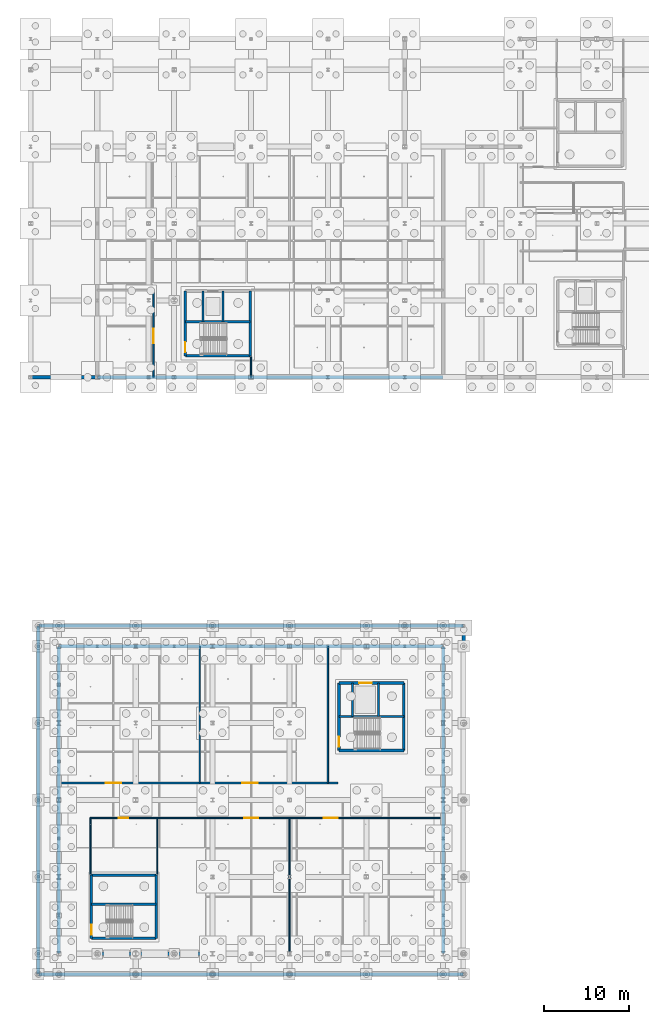
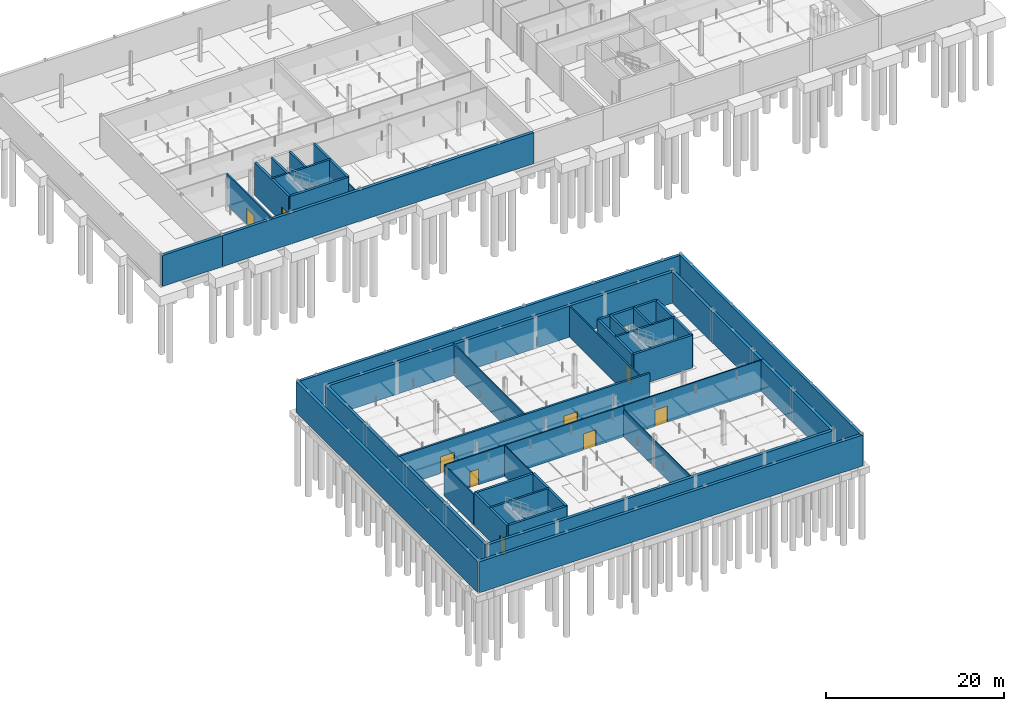
# One storey, part 24 of 48: 39 walls, 10 doors, 10 openings.
"""IFC4 building model written with IfcOpenShell, lengths in metres."""

from ifc_helpers import new_model, si_unit, direction, frame, frame_2d, origin, place, context, subcontext, project, spatial, rectangle, extrude, material, layer, layer_set, type_object, element, fill, save


model = new_model("IFC4")

# Units and contexts
model_context = context("Model", 3, precision=1e-05, world=origin(), true_north=direction((0.0, 1.0)))
body_context = subcontext(model_context, "Body", "Model", "MODEL_VIEW")
ifc_project = project(units=[si_unit("LENGTHUNIT", "METRE"), si_unit("AREAUNIT", "SQUARE_METRE"), si_unit("VOLUMEUNIT", "CUBIC_METRE"), si_unit("PLANEANGLEUNIT", "RADIAN"), si_unit("MASSUNIT", "GRAM", prefix="KILO"), si_unit("THERMODYNAMICTEMPERATUREUNIT", "KELVIN"), si_unit("POWERUNIT", "WATT")], contexts=[model_context])

# Site, building, storey
site_placement = place(None, origin())
site = spatial("IfcSite", under=ifc_project, at=site_placement, CompositionType="ELEMENT")
building_placement = place(site_placement, origin())
building = spatial("IfcBuilding", under=site, at=building_placement, Name="Tallowbark Science Centre", CompositionType="ELEMENT")
storey_placement = place(building_placement, frame((0.0, 0.0, -4.5)))
storey = spatial("IfcBuildingStorey", under=building, at=storey_placement, Name="B1", CompositionType="ELEMENT", Elevation=-4.5)

# Walls
ifc_material_1 = material(Name="132 mm Acoustic Laboratory Steel Stud Partition", Category="steel")
ifc_layer_1 = layer(ifc_material_1, 0.132080078125)
ifc_layer_set_1 = layer_set([ifc_layer_1], Name="132 mm Acoustic Laboratory Steel Stud Partition")
wall_type_1 = type_object("IfcWallType", Name="PTW-132", PredefinedType="PARTITIONING", material=ifc_layer_set_1)
for number, where, z_axis, x_axis, name in (
    (1, (62.199951171875, 13.800048828125, 0.0), (0.0, 0.0, 1.0), (0.0, 1.0, 0.0), "Interior Partition PTW-B1-0072"),
    (2, (70.0, 13.800048828125, 0.0), (0.0, 0.0, 1.0), (0.0, 1.0, 0.0), "Interior Partition PTW-B1-0076"),
):
    element("IfcWall", number, at=place(storey_placement, frame(where, z_axis=z_axis, x_axis=x_axis)), inside=storey, type_object=wall_type_1, Name=name, PredefinedType="PARTITIONING", context=body_context, shape_type="SweptSolid", body=[
        extrude(rectangle(XDim=6.599853515625, YDim=0.132080078125, at=frame_2d((3.2998046875, 0.0))), origin(), (0.0, 0.0, 1.0), 4.260009765625),
    ])
wall_1_placement = place(storey_placement, frame((85.5, 4.5, 0.0), z_axis=(0.0, 0.0, 1.0), x_axis=(0.0, 1.0, 0.0)))
element("IfcWall", 3, at=wall_1_placement, inside=storey, type_object=wall_type_1, Name="Interior Partition PTW-B1-0077", PredefinedType="PARTITIONING", context=body_context, shape_type="SweptSolid", body=[
    extrude(rectangle(XDim=15.89990234375, YDim=0.132080078125, at=frame_2d((7.949951171875, 0.0))), origin(), (0.0, 0.0, 1.0), 3.7119140625),
])
wall_2_placement = place(storey_placement, frame((81.0, 72.0, 0.0), z_axis=(0.0, 0.0, 1.0), x_axis=(0.0, 1.0, 0.0)))
element("IfcWall", 4, at=wall_2_placement, inside=storey, type_object=wall_type_1, Name="Interior Partition PTW-B1-0082", PredefinedType="PARTITIONING", context=body_context, shape_type="SweptSolid", body=[
    extrude(rectangle(XDim=2.39990234375, YDim=0.132080078125, at=frame_2d((1.199951171875, 0.0))), origin(), (0.0, 0.0, 1.0), 3.5400390625),
])

# Wall, opening, door
ifc_material_2 = material(Name="162 mm Double-Stud Fire-Rated Corridor Partition")
ifc_layer_2 = layer(ifc_material_2, 0.162109375)
ifc_layer_set_2 = layer_set([ifc_layer_2], Name="162 mm Double-Stud Fire-Rated Corridor Partition")
wall_type_2 = type_object("IfcWallType", Name="PTW-162", PredefinedType="PARTITIONING", material=ifc_layer_set_2)
wall_3_placement = place(storey_placement, frame((62.199951171875, 20.39990234375, 0.0), z_axis=(0.0, 0.0, 1.0), x_axis=(1.0, 0.0, 0.0)))
wall_3 = element("IfcWall", 5, at=wall_3_placement, inside=storey, type_object=wall_type_2, Name="Interior Partition PTW-B1-0073", PredefinedType="PARTITIONING", context=body_context, shape_type="SweptSolid", body=[
    extrude(rectangle(XDim=7.800048828125, YDim=0.162109375, at=frame_2d((3.89990234375, 0.0))), origin(), (0.0, 0.0, 1.0), 4.260009765625),
])
opening_1_placement = place(wall_3_placement, frame((3.300048828125, 0.0, 0.0)))
opening_1 = element("IfcOpeningElement", 6, at=opening_1_placement, cuts=wall_3, Name="Opening DS-19", PredefinedType="OPENING", context=body_context, shape_type="SweptSolid", body=[
    extrude(rectangle(XDim=1.10009765625, YDim=2.175048828125, at=frame_2d((0.550048828125, 1.08740234375))), frame((0.0, 0.091064453125, 0.0), z_axis=(0.0, -1.0, 0.0), x_axis=(1.0, 0.0, 0.0)), (0.0, 0.0, 1.0), 0.18212890625),
])
ifc_material_3 = material(Name="Heavy-Duty Store Leaf")
door_type_1 = type_object("IfcDoorType", Name="IDR-STO-110-S19", OperationType="NOTDEFINED", PredefinedType="DOOR", material=ifc_material_3)
door_1_placement = place(opening_1_placement, origin())
door_1 = element("IfcDoor", 7, at=door_1_placement, inside=storey, type_object=door_type_1, Name="Interior Door IDR-B1-0019", OperationType="SINGLE_SWING_LEFT", OverallHeight=2.175048828125, OverallWidth=1.10009765625, PredefinedType="DOOR", context=body_context, shape_type="SweptSolid", body=[
    extrude(rectangle(XDim=1.10009765625, YDim=2.175048828125, at=frame_2d((0.550048828125, 1.08740234375))), frame((0.0, 0.02490234375, 0.0), z_axis=(0.0, -1.0, 0.0), x_axis=(1.0, 0.0, 0.0)), (0.0, 0.0, 1.0), 0.050048828125),
])
fill(opening_1, door_1)

wall_4_placement = place(storey_placement, frame((70.0, 20.39990234375, 0.0), z_axis=(0.0, 0.0, 1.0), x_axis=(1.0, 0.0, 0.0)))
wall_4 = element("IfcWall", 8, at=wall_4_placement, inside=storey, type_object=wall_type_2, Name="Interior Partition PTW-B1-0074", PredefinedType="PARTITIONING", context=body_context, shape_type="SweptSolid", body=[
    extrude(rectangle(XDim=15.5, YDim=0.162109375, at=frame_2d((7.75, 0.0))), origin(), (0.0, 0.0, 1.0), 4.260009765625),
])
opening_2_placement = place(wall_4_placement, frame((10.199951171875, 0.0, 0.0)))
opening_2 = element("IfcOpeningElement", 9, at=opening_2_placement, cuts=wall_4, Name="Opening DS-20", PredefinedType="OPENING", context=body_context, shape_type="SweptSolid", body=[
    extrude(rectangle(XDim=1.6201171875, YDim=2.22509765625, at=frame_2d((0.81005859375, 1.112548828125))), frame((0.0, 0.091064453125, 0.0), z_axis=(0.0, -1.0, 0.0), x_axis=(1.0, 0.0, 0.0)), (0.0, 0.0, 1.0), 0.18212890625),
])
ifc_material_4 = material(Name="Fire-Rated Acoustic Plant Pair")
door_type_2 = type_object("IfcDoorType", Name="FDR-PLT-160-S20", OperationType="DOUBLE_DOOR_SINGLE_SWING", PredefinedType="DOOR", material=ifc_material_4)
door_2_placement = place(opening_2_placement, origin())
door_2 = element("IfcDoor", 10, at=door_2_placement, inside=storey, type_object=door_type_2, Name="Interior Door IDR-B1-0020", OperationType="DOUBLE_DOOR_SINGLE_SWING", OverallHeight=2.22509765625, OverallWidth=1.6201171875, PredefinedType="DOOR", context=body_context, shape_type="SweptSolid", body=[
    extrude(rectangle(XDim=1.6201171875, YDim=2.22509765625, at=frame_2d((0.81005859375, 1.112548828125))), frame((0.0, 0.02490234375, 0.0), z_axis=(0.0, -1.0, 0.0), x_axis=(1.0, 0.0, 0.0)), (0.0, 0.0, 1.0), 0.050048828125),
])
fill(opening_2, door_2)

wall_5_placement = place(storey_placement, frame((85.5, 20.39990234375, 0.0), z_axis=(0.0, 0.0, 1.0), x_axis=(1.0, 0.0, 0.0)))
wall_5 = element("IfcWall", 11, at=wall_5_placement, inside=storey, type_object=wall_type_2, Name="Interior Partition PTW-B1-0075", PredefinedType="PARTITIONING", context=body_context, shape_type="SweptSolid", body=[
    extrude(rectangle(XDim=18.0, YDim=0.162109375, at=frame_2d((9.0, 0.0))), origin(), (0.0, 0.0, 1.0), 4.260009765625),
])
opening_3_placement = place(wall_5_placement, frame((4.0, 0.0, 0.0)))
opening_3 = element("IfcOpeningElement", 12, at=opening_3_placement, cuts=wall_5, Name="Opening DS-21", PredefinedType="OPENING", context=body_context, shape_type="SweptSolid", body=[
    extrude(rectangle(XDim=1.639892578125, YDim=2.22509765625, at=frame_2d((0.81982421875, 1.112548828125))), frame((0.0, 0.091064453125, 0.0), z_axis=(0.0, -1.0, 0.0), x_axis=(1.0, 0.0, 0.0)), (0.0, 0.0, 1.0), 0.18212890625),
])
door_type_3 = type_object("IfcDoorType", Name="FDR-PLT-160-S21", OperationType="DOUBLE_DOOR_SINGLE_SWING", PredefinedType="DOOR", material=ifc_material_4)
door_3_placement = place(opening_3_placement, origin())
door_3 = element("IfcDoor", 13, at=door_3_placement, inside=storey, type_object=door_type_3, Name="Interior Door IDR-B1-0021", OperationType="DOUBLE_DOOR_SINGLE_SWING", OverallHeight=2.22509765625, OverallWidth=1.639892578125, PredefinedType="DOOR", context=body_context, shape_type="SweptSolid", body=[
    extrude(rectangle(XDim=1.639892578125, YDim=2.22509765625, at=frame_2d((0.81982421875, 1.112548828125))), frame((0.0, 0.02490234375, 0.0), z_axis=(0.0, -1.0, 0.0), x_axis=(1.0, 0.0, 0.0)), (0.0, 0.0, 1.0), 0.050048828125),
])
fill(opening_3, door_3)

# Walls
for number, where, z_axis, x_axis, name in (
    (14, (75.0, 24.5, 0.0), (0.0, 0.0, 1.0), (0.0, 1.0, 0.0), "Interior Partition PTW-B1-0078"),
    (15, (90.0, 24.5, 0.0), (0.0, 0.0, 1.0), (0.0, 1.0, 0.0), "Interior Partition PTW-B1-0079"),
):
    element("IfcWall", number, at=place(storey_placement, frame(where, z_axis=z_axis, x_axis=x_axis)), inside=storey, type_object=wall_type_2, Name=name, PredefinedType="PARTITIONING", context=body_context, shape_type="SweptSolid", body=[
        extrude(rectangle(XDim=16.0, YDim=0.162109375, at=frame_2d((8.0, 0.0))), origin(), (0.0, 0.0, 1.0), 4.260009765625),
    ])

# Wall, opening, door
wall_6_placement = place(storey_placement, frame((69.60009765625, 72.0, 0.0), z_axis=(0.0, 0.0, 1.0), x_axis=(0.0, 1.0, 0.0)))
wall_6 = element("IfcWall", 16, at=wall_6_placement, inside=storey, type_object=wall_type_2, Name="Interior Partition PTW-B1-0080", PredefinedType="PARTITIONING", context=body_context, shape_type="SweptSolid", body=[
    extrude(rectangle(XDim=10.199951171875, YDim=0.162109375, at=frame_2d((5.10009765625, 0.0))), origin(), (0.0, 0.0, 1.0), 4.260009765625),
])
opening_4_placement = place(wall_6_placement, frame((4.0, 0.0, 0.0)))
opening_4 = element("IfcOpeningElement", 17, at=opening_4_placement, cuts=wall_6, Name="Opening DS-22", PredefinedType="OPENING", context=body_context, shape_type="SweptSolid", body=[
    extrude(rectangle(XDim=1.659912109375, YDim=2.22509765625, at=frame_2d((0.830078125, 1.112548828125))), frame((0.0, 0.091064453125, 0.0), z_axis=(0.0, -1.0, 0.0), x_axis=(1.0, 0.0, 0.0)), (0.0, 0.0, 1.0), 0.18212890625),
])
door_type_4 = type_object("IfcDoorType", Name="FDR-PLT-160-S22", OperationType="DOUBLE_DOOR_SINGLE_SWING", PredefinedType="DOOR", material=ifc_material_4)
door_4_placement = place(opening_4_placement, origin())
door_4 = element("IfcDoor", 18, at=door_4_placement, inside=storey, type_object=door_type_4, Name="Interior Door IDR-B1-0022", OperationType="DOUBLE_DOOR_SINGLE_SWING", OverallHeight=2.22509765625, OverallWidth=1.659912109375, PredefinedType="DOOR", context=body_context, shape_type="SweptSolid", body=[
    extrude(rectangle(XDim=1.659912109375, YDim=2.22509765625, at=frame_2d((0.830078125, 1.112548828125))), frame((0.0, 0.02490234375, 0.0), z_axis=(0.0, -1.0, 0.0), x_axis=(1.0, 0.0, 0.0)), (0.0, 0.0, 1.0), 0.050048828125),
])
fill(opening_4, door_4)

ifc_material_5 = material(Name="Concrete Grade N40 (40 MPa)", Category="concrete")
ifc_layer_3 = layer(ifc_material_5, 0.300048828125)
ifc_layer_set_3 = layer_set([ifc_layer_3], Name="Concrete Grade N40 (40 MPa)")
wall_type_3 = type_object("IfcWallType", Name="WL-CORE-300", PredefinedType="SHEAR", material=ifc_layer_set_3)
wall_7_placement = place(storey_placement, frame((73.300048828125, 74.5, 0.0), z_axis=(0.0, 0.0, 1.0), x_axis=(0.0, 1.0, 0.0)))
wall_7 = element("IfcWall", 19, at=wall_7_placement, inside=storey, type_object=wall_type_3, Name="Core C1 Shear Wall B1 W", PredefinedType="SHEAR", context=body_context, shape_type="SweptSolid", body=[
    extrude(rectangle(XDim=7.60009765625, YDim=0.300048828125, at=frame_2d((3.800048828125, 0.0))), origin(), (0.0, 0.0, 1.0), 4.5),
])
opening_5_placement = place(wall_7_placement, frame((0.449951171875, 0.0, 0.0)))
opening_5 = element("IfcOpeningElement", 20, at=opening_5_placement, cuts=wall_7, Name="Opening FD-01", PredefinedType="OPENING", context=body_context, shape_type="SweptSolid", body=[
    extrude(rectangle(XDim=1.14990234375, YDim=2.14990234375, at=frame_2d((0.574951171875, 1.074951171875))), frame((0.0, 0.16015625, 0.0), z_axis=(0.0, -1.0, 0.0), x_axis=(1.0, 0.0, 0.0)), (0.0, 0.0, 1.0), 0.320068359375),
])
ifc_material_6 = material(Name="Fire-Rated Pressed Steel Frame and Solid Core Leaf", Category="steel")
door_type_5 = type_object("IfcDoorType", Name="FDR-STR-115", OperationType="NOTDEFINED", PredefinedType="DOOR", material=ifc_material_6)
door_5_placement = place(opening_5_placement, origin())
door_5 = element("IfcDoor", 21, at=door_5_placement, inside=storey, type_object=door_type_5, Name="Stair ST-01 Fire Door B1", OperationType="SINGLE_SWING_LEFT", OverallHeight=2.14990234375, OverallWidth=1.14990234375, PredefinedType="DOOR", context=body_context, shape_type="SweptSolid", body=[
    extrude(rectangle(XDim=1.14990234375, YDim=2.14990234375, at=frame_2d((0.574951171875, 1.074951171875))), frame((0.0, 0.02490234375, 0.0), z_axis=(0.0, -1.0, 0.0), x_axis=(1.0, 0.0, 0.0)), (0.0, 0.0, 1.0), 0.050048828125),
])
fill(opening_5, door_5)

# Walls
wall_8_placement = place(storey_placement, frame((80.89990234375, 74.5, 0.0), z_axis=(0.0, 0.0, 1.0), x_axis=(0.0, 1.0, 0.0)))
element("IfcWall", 22, at=wall_8_placement, inside=storey, type_object=wall_type_3, Name="Core C1 Shear Wall B1 E", PredefinedType="SHEAR", context=body_context, shape_type="SweptSolid", body=[
    extrude(rectangle(XDim=7.60009765625, YDim=0.300048828125, at=frame_2d((3.800048828125, 0.0))), origin(), (0.0, 0.0, 1.0), 4.5),
])
wall_9_placement = place(storey_placement, frame((73.300048828125, 74.5, 0.0), z_axis=(0.0, 0.0, 1.0), x_axis=(1.0, 0.0, 0.0)))
element("IfcWall", 23, at=wall_9_placement, inside=storey, type_object=wall_type_3, Name="Core C1 Shear Wall B1 S", PredefinedType="SHEAR", context=body_context, shape_type="SweptSolid", body=[
    extrude(rectangle(XDim=7.599853515625, YDim=0.300048828125, at=frame_2d((3.7998046875, 0.0))), origin(), (0.0, 0.0, 1.0), 4.5),
])

# Wall, opening, door
wall_10_placement = place(storey_placement, frame((91.300048828125, 28.300048828125, 0.0), z_axis=(0.0, 0.0, 1.0), x_axis=(0.0, 1.0, 0.0)))
wall_10 = element("IfcWall", 24, at=wall_10_placement, inside=storey, type_object=wall_type_3, Name="Core C3 Shear Wall B1 W", PredefinedType="SHEAR", context=body_context, shape_type="SweptSolid", body=[
    extrude(rectangle(XDim=7.89990234375, YDim=0.300048828125, at=frame_2d((3.949951171875, 0.0))), origin(), (0.0, 0.0, 1.0), 4.5),
])
opening_6_placement = place(wall_10_placement, frame((0.449951171875, 0.0, 0.0)))
opening_6 = element("IfcOpeningElement", 25, at=opening_6_placement, cuts=wall_10, Name="Opening FD-01", PredefinedType="OPENING", context=body_context, shape_type="SweptSolid", body=[
    extrude(rectangle(XDim=1.14990234375, YDim=2.14990234375, at=frame_2d((0.574951171875, 1.074951171875))), frame((0.0, 0.16015625, 0.0), z_axis=(0.0, -1.0, 0.0), x_axis=(1.0, 0.0, 0.0)), (0.0, 0.0, 1.0), 0.320068359375),
])
door_6_placement = place(opening_6_placement, origin())
door_6 = element("IfcDoor", 26, at=door_6_placement, inside=storey, type_object=door_type_5, Name="Stair ST-03 Fire Door B1", OperationType="SINGLE_SWING_LEFT", OverallHeight=2.14990234375, OverallWidth=1.14990234375, PredefinedType="DOOR", context=body_context, shape_type="SweptSolid", body=[
    extrude(rectangle(XDim=1.14990234375, YDim=2.14990234375, at=frame_2d((0.574951171875, 1.074951171875))), frame((0.0, 0.02490234375, 0.0), z_axis=(0.0, -1.0, 0.0), x_axis=(1.0, 0.0, 0.0)), (0.0, 0.0, 1.0), 0.050048828125),
])
fill(opening_6, door_6)

# Walls
wall_11_placement = place(storey_placement, frame((98.89990234375, 28.300048828125, 0.0), z_axis=(0.0, 0.0, 1.0), x_axis=(0.0, 1.0, 0.0)))
element("IfcWall", 27, at=wall_11_placement, inside=storey, type_object=wall_type_3, Name="Core C3 Shear Wall B1 E", PredefinedType="SHEAR", context=body_context, shape_type="SweptSolid", body=[
    extrude(rectangle(XDim=7.89990234375, YDim=0.300048828125, at=frame_2d((3.949951171875, 0.0))), origin(), (0.0, 0.0, 1.0), 4.5),
])
wall_12_placement = place(storey_placement, frame((91.300048828125, 28.300048828125, 0.0), z_axis=(0.0, 0.0, 1.0), x_axis=(1.0, 0.0, 0.0)))
element("IfcWall", 28, at=wall_12_placement, inside=storey, type_object=wall_type_3, Name="Core C3 Shear Wall B1 S", PredefinedType="SHEAR", context=body_context, shape_type="SweptSolid", body=[
    extrude(rectangle(XDim=7.599853515625, YDim=0.300048828125, at=frame_2d((3.7998046875, 0.0))), origin(), (0.0, 0.0, 1.0), 4.5),
])

# Wall, opening, door
wall_13_placement = place(storey_placement, frame((91.300048828125, 36.199951171875, 0.0), z_axis=(0.0, 0.0, 1.0), x_axis=(1.0, 0.0, 0.0)))
wall_13 = element("IfcWall", 29, at=wall_13_placement, inside=storey, type_object=wall_type_3, Name="Core C3 Shear Wall B1 N", PredefinedType="SHEAR", context=body_context, shape_type="SweptSolid", body=[
    extrude(rectangle(XDim=7.599853515625, YDim=0.300048828125, at=frame_2d((3.7998046875, 0.0))), origin(), (0.0, 0.0, 1.0), 4.5),
])
opening_7_placement = place(wall_13_placement, frame((2.35009765625, 0.0, 0.0)))
opening_7 = element("IfcOpeningElement", 30, at=opening_7_placement, cuts=wall_13, Name="Opening LD-02", PredefinedType="OPENING", context=body_context, shape_type="SweptSolid", body=[
    extrude(rectangle(XDim=1.5, YDim=2.39990234375, at=frame_2d((0.75, 1.199951171875))), frame((0.0, 0.16015625, 0.0), z_axis=(0.0, -1.0, 0.0), x_axis=(1.0, 0.0, 0.0)), (0.0, 0.0, 1.0), 0.320068359375),
])
ifc_material_7 = material(Name="Heavy-Duty Goods and Stretcher Lift Landing Door")
door_type_6 = type_object("IfcDoorType", Name="LDR-GDS-150", OperationType="DOUBLE_DOOR_SLIDING", PredefinedType="DOOR", material=ifc_material_7)
door_7_placement = place(opening_7_placement, origin())
door_7 = element("IfcDoor", 31, at=door_7_placement, inside=storey, type_object=door_type_6, Name="Lift LF-06 Landing Door B1", OperationType="DOUBLE_DOOR_SLIDING", OverallHeight=2.39990234375, OverallWidth=1.5, PredefinedType="DOOR", context=body_context, shape_type="SweptSolid", body=[
    extrude(rectangle(XDim=1.5, YDim=2.39990234375, at=frame_2d((0.75, 1.199951171875))), frame((0.0, 0.02490234375, 0.0), z_axis=(0.0, -1.0, 0.0), x_axis=(1.0, 0.0, 0.0)), (0.0, 0.0, 1.0), 0.050048828125),
])
fill(opening_7, door_7)

wall_14_placement = place(storey_placement, frame((62.300048828125, 6.300048828125, 0.0), z_axis=(0.0, 0.0, 1.0), x_axis=(0.0, 1.0, 0.0)))
wall_14 = element("IfcWall", 32, at=wall_14_placement, inside=storey, type_object=wall_type_3, Name="Core C7 Shear Wall B1 W", PredefinedType="SHEAR", context=body_context, shape_type="SweptSolid", body=[
    extrude(rectangle(XDim=7.39990234375, YDim=0.300048828125, at=frame_2d((3.699951171875, 0.0))), origin(), (0.0, 0.0, 1.0), 4.5),
])
opening_8_placement = place(wall_14_placement, frame((0.449951171875, 0.0, 0.0)))
opening_8 = element("IfcOpeningElement", 33, at=opening_8_placement, cuts=wall_14, Name="Opening FD-01", PredefinedType="OPENING", context=body_context, shape_type="SweptSolid", body=[
    extrude(rectangle(XDim=1.14990234375, YDim=2.14990234375, at=frame_2d((0.574951171875, 1.074951171875))), frame((0.0, 0.16015625, 0.0), z_axis=(0.0, -1.0, 0.0), x_axis=(1.0, 0.0, 0.0)), (0.0, 0.0, 1.0), 0.320068359375),
])
door_8_placement = place(opening_8_placement, origin())
door_8 = element("IfcDoor", 34, at=door_8_placement, inside=storey, type_object=door_type_5, Name="Stair ST-07 Fire Door B1", OperationType="SINGLE_SWING_LEFT", OverallHeight=2.14990234375, OverallWidth=1.14990234375, PredefinedType="DOOR", context=body_context, shape_type="SweptSolid", body=[
    extrude(rectangle(XDim=1.14990234375, YDim=2.14990234375, at=frame_2d((0.574951171875, 1.074951171875))), frame((0.0, 0.02490234375, 0.0), z_axis=(0.0, -1.0, 0.0), x_axis=(1.0, 0.0, 0.0)), (0.0, 0.0, 1.0), 0.050048828125),
])
fill(opening_8, door_8)

# Walls
wall_15_placement = place(storey_placement, frame((69.89990234375, 6.300048828125, 0.0), z_axis=(0.0, 0.0, 1.0), x_axis=(0.0, 1.0, 0.0)))
element("IfcWall", 35, at=wall_15_placement, inside=storey, type_object=wall_type_3, Name="Core C7 Shear Wall B1 E", PredefinedType="SHEAR", context=body_context, shape_type="SweptSolid", body=[
    extrude(rectangle(XDim=7.39990234375, YDim=0.300048828125, at=frame_2d((3.699951171875, 0.0))), origin(), (0.0, 0.0, 1.0), 4.5),
])
for number, where, z_axis, x_axis, name in (
    (36, (62.300048828125, 6.300048828125, 0.0), (0.0, 0.0, 1.0), (1.0, 0.0, 0.0), "Core C7 Shear Wall B1 S"),
    (37, (62.300048828125, 13.699951171875, 0.0), (0.0, 0.0, 1.0), (1.0, 0.0, 0.0), "Core C7 Shear Wall B1 N"),
):
    element("IfcWall", number, at=place(storey_placement, frame(where, z_axis=z_axis, x_axis=x_axis)), inside=storey, type_object=wall_type_3, Name=name, PredefinedType="SHEAR", context=body_context, shape_type="SweptSolid", body=[
        extrude(rectangle(XDim=7.599853515625, YDim=0.300048828125, at=frame_2d((3.7998046875, 0.0))), origin(), (0.0, 0.0, 1.0), 4.5),
    ])

# Wall, openings, doors
ifc_layer_4 = layer(ifc_material_5, 0.260009765625)
ifc_layer_set_4 = layer_set([ifc_layer_4], Name="Concrete Grade N40 (40 MPa)")
wall_type_4 = type_object("IfcWallType", Name="WL-FIRE-260", PredefinedType="SHEAR", material=ifc_layer_set_4)
wall_16_placement = place(storey_placement, frame((58.5, 24.5, 0.0), z_axis=(0.0, 0.0, 1.0), x_axis=(1.0, 0.0, 0.0)))
wall_16 = element("IfcWall", 38, at=wall_16_placement, inside=storey, type_object=wall_type_4, Name="Basement Wall B1-FIR-01", PredefinedType="SHEAR", context=body_context, shape_type="SweptSolid", body=[
    extrude(rectangle(XDim=32.699951171875, YDim=0.260009765625, at=frame_2d((16.35009765625, 0.0))), origin(), (0.0, 0.0, 1.0), 4.260009765625),
])
opening_9_placement = place(wall_16_placement, frame((5.5, 0.0, 0.0)))
opening_9 = element("IfcOpeningElement", 39, at=opening_9_placement, cuts=wall_16, Name="Opening FD-04", PredefinedType="OPENING", context=body_context, shape_type="SweptSolid", body=[
    extrude(rectangle(XDim=1.800048828125, YDim=2.300048828125, at=frame_2d((0.89990234375, 1.14990234375))), frame((0.0, 0.14013671875, 0.0), z_axis=(0.0, -1.0, 0.0), x_axis=(1.0, 0.0, 0.0)), (0.0, 0.0, 1.0), 0.280029296875),
])
opening_10_placement = place(wall_16_placement, frame((21.5, 0.0, 0.0)))
opening_10 = element("IfcOpeningElement", 40, at=opening_10_placement, cuts=wall_16, Name="Opening FD-04", PredefinedType="OPENING", context=body_context, shape_type="SweptSolid", body=[
    extrude(rectangle(XDim=1.800048828125, YDim=2.300048828125, at=frame_2d((0.89990234375, 1.14990234375))), frame((0.0, 0.14013671875, 0.0), z_axis=(0.0, -1.0, 0.0), x_axis=(1.0, 0.0, 0.0)), (0.0, 0.0, 1.0), 0.280029296875),
])
ifc_material_8 = material(Name="Hold-Open Fire Compartment Pair")
door_type_7 = type_object("IfcDoorType", Name="FDR-CMP-180", OperationType="DOUBLE_DOOR_SINGLE_SWING", PredefinedType="DOOR", material=ifc_material_8)
door_9_placement = place(opening_9_placement, origin())
door_9 = element("IfcDoor", 41, at=door_9_placement, inside=storey, type_object=door_type_7, Name="Basement Fire Compartment Door B1-FIR-01-1", OperationType="DOUBLE_DOOR_SINGLE_SWING", OverallHeight=2.300048828125, OverallWidth=1.800048828125, PredefinedType="DOOR", context=body_context, shape_type="SweptSolid", body=[
    extrude(rectangle(XDim=1.800048828125, YDim=2.300048828125, at=frame_2d((0.89990234375, 1.14990234375))), frame((0.0, 0.02490234375, 0.0), z_axis=(0.0, -1.0, 0.0), x_axis=(1.0, 0.0, 0.0)), (0.0, 0.0, 1.0), 0.050048828125),
])
fill(opening_9, door_9)
door_10_placement = place(opening_10_placement, origin())
door_10 = element("IfcDoor", 42, at=door_10_placement, inside=storey, type_object=door_type_7, Name="Basement Fire Compartment Door B1-FIR-01-2", OperationType="DOUBLE_DOOR_SINGLE_SWING", OverallHeight=2.300048828125, OverallWidth=1.800048828125, PredefinedType="DOOR", context=body_context, shape_type="SweptSolid", body=[
    extrude(rectangle(XDim=1.800048828125, YDim=2.300048828125, at=frame_2d((0.89990234375, 1.14990234375))), frame((0.0, 0.02490234375, 0.0), z_axis=(0.0, -1.0, 0.0), x_axis=(1.0, 0.0, 0.0)), (0.0, 0.0, 1.0), 0.050048828125),
])
fill(opening_10, door_10)

# Walls
ifc_layer_5 = layer(ifc_material_5, 0.3798828125)
ifc_layer_set_5 = layer_set([ifc_layer_5], Name="Concrete Grade N40 (40 MPa)")
wall_type_5 = type_object("IfcWallType", Name="WL-RET-380", PredefinedType="SHEAR", material=ifc_layer_set_5)
for number, where, z_axis, x_axis, name in (
    (43, (56.10009765625, 2.10009765625, 0.0), (0.0, 0.0, 1.0), (1.0, 0.0, 0.0), "Basement Wall B1-RET-SCR-S"),
    (44, (56.10009765625, 42.89990234375, 0.0), (0.0, 0.0, 1.0), (1.0, 0.0, 0.0), "Basement Wall B1-RET-SCR-N"),
):
    element("IfcWall", number, at=place(storey_placement, frame(where, z_axis=z_axis, x_axis=x_axis)), inside=storey, type_object=wall_type_5, Name=name, PredefinedType="SHEAR", context=body_context, shape_type="SweptSolid", body=[
        extrude(rectangle(XDim=49.7998046875, YDim=0.3798828125, at=frame_2d((24.89990234375, 0.0))), origin(), (0.0, 0.0, 1.0), 4.260009765625),
    ])
for number, where, z_axis, x_axis, name in (
    (45, (56.10009765625, 2.10009765625, 0.0), (0.0, 0.0, 1.0), (0.0, 1.0, 0.0), "Basement Wall B1-RET-SCR-W"),
    (46, (105.89990234375, 2.10009765625, 0.0), (0.0, 0.0, 1.0), (0.0, 1.0, 0.0), "Basement Wall B1-RET-SCR-E"),
):
    element("IfcWall", number, at=place(storey_placement, frame(where, z_axis=z_axis, x_axis=x_axis)), inside=storey, type_object=wall_type_5, Name=name, PredefinedType="SHEAR", context=body_context, shape_type="SweptSolid", body=[
        extrude(rectangle(XDim=40.7998046875, YDim=0.3798828125, at=frame_2d((20.39990234375, 0.0))), origin(), (0.0, 0.0, 1.0), 4.260009765625),
    ])
wall_17_placement = place(storey_placement, frame((55.199951171875, 72.0, 0.0), z_axis=(0.0, 0.0, 1.0), x_axis=(1.0, 0.0, 0.0)))
element("IfcWall", 47, at=wall_17_placement, inside=storey, type_object=wall_type_5, Name="Basement Wall B1-RET-CAF-S", PredefinedType="SHEAR", context=body_context, shape_type="SweptSolid", body=[
    extrude(rectangle(XDim=7.800048828125, YDim=0.3798828125, at=frame_2d((3.89990234375, 0.0))), origin(), (0.0, 0.0, 1.0), 4.260009765625),
])
for number, where, z_axis, x_axis, name in (
    (48, (58.5, 4.5, 0.0), (0.0, 0.0, 1.0), (1.0, 0.0, 0.0), "Basement Wall B1-RET-CUB-S"),
    (49, (58.5, 40.5, 0.0), (0.0, 0.0, 1.0), (1.0, 0.0, 0.0), "Basement Wall B1-RET-CUB-N"),
):
    element("IfcWall", number, at=place(storey_placement, frame(where, z_axis=z_axis, x_axis=x_axis)), inside=storey, type_object=wall_type_5, Name=name, PredefinedType="SHEAR", context=body_context, shape_type="SweptSolid", body=[
        extrude(rectangle(XDim=45.0, YDim=0.3798828125, at=frame_2d((22.5, 0.0))), origin(), (0.0, 0.0, 1.0), 4.260009765625),
    ])
for number, where, z_axis, x_axis, name in (
    (50, (58.5, 4.5, 0.0), (0.0, 0.0, 1.0), (0.0, 1.0, 0.0), "Basement Wall B1-RET-CUB-W"),
    (51, (103.5, 4.5, 0.0), (0.0, 0.0, 1.0), (0.0, 1.0, 0.0), "Basement Wall B1-RET-CUB-E"),
):
    element("IfcWall", number, at=place(storey_placement, frame(where, z_axis=z_axis, x_axis=x_axis)), inside=storey, type_object=wall_type_5, Name=name, PredefinedType="SHEAR", context=body_context, shape_type="SweptSolid", body=[
        extrude(rectangle(XDim=36.0, YDim=0.3798828125, at=frame_2d((18.0, 0.0))), origin(), (0.0, 0.0, 1.0), 4.260009765625),
    ])
wall_18_placement = place(storey_placement, frame((63.0, 72.0, 0.0), z_axis=(0.0, 0.0, 1.0), x_axis=(1.0, 0.0, 0.0)))
element("IfcWall", 52, at=wall_18_placement, inside=storey, type_object=wall_type_5, Name="Basement Wall B1-RET-LAB-S", PredefinedType="SHEAR", context=body_context, shape_type="SweptSolid", body=[
    extrude(rectangle(XDim=40.5, YDim=0.3798828125, at=frame_2d((20.25, 0.0))), origin(), (0.0, 0.0, 1.0), 4.260009765625),
])
ifc_layer_6 = layer(ifc_material_5, 0.25)
ifc_layer_set_6 = layer_set([ifc_layer_6], Name="Concrete Grade N40 (40 MPa)")
wall_type_6 = type_object("IfcWallType", Name="WL-SHAFT-250", PredefinedType="SHEAR", material=ifc_layer_set_6)
wall_19_placement = place(storey_placement, frame((73.300048828125, 78.4951171875, 0.0), z_axis=(0.0, 0.0, 1.0), x_axis=(1.0, 0.0, 0.0)))
element("IfcWall", 53, at=wall_19_placement, inside=storey, type_object=wall_type_6, Name="Core C1 Shear Wall B1 MID", PredefinedType="SHEAR", context=body_context, shape_type="SweptSolid", body=[
    extrude(rectangle(XDim=7.599853515625, YDim=0.25, at=frame_2d((3.7998046875, 0.0))), origin(), (0.0, 0.0, 1.0), 4.5),
])
for number, where, z_axis, x_axis, name in (
    (54, (75.375, 78.4951171875, 0.0), (0.0, 0.0, 1.0), (0.0, 1.0, 0.0), "Core C1 Shear Wall B1 LW"),
    (55, (77.72509765625, 78.4951171875, 0.0), (0.0, 0.0, 1.0), (0.0, 1.0, 0.0), "Core C1 Shear Wall B1 LE"),
):
    element("IfcWall", number, at=place(storey_placement, frame(where, z_axis=z_axis, x_axis=x_axis)), inside=storey, type_object=wall_type_6, Name=name, PredefinedType="SHEAR", context=body_context, shape_type="SweptSolid", body=[
        extrude(rectangle(XDim=3.60498046875, YDim=0.25, at=frame_2d((1.802490234375, 0.0))), origin(), (0.0, 0.0, 1.0), 4.5),
    ])
wall_20_placement = place(storey_placement, frame((91.300048828125, 32.294921875, 0.0), z_axis=(0.0, 0.0, 1.0), x_axis=(1.0, 0.0, 0.0)))
element("IfcWall", 56, at=wall_20_placement, inside=storey, type_object=wall_type_6, Name="Core C3 Shear Wall B1 MID", PredefinedType="SHEAR", context=body_context, shape_type="SweptSolid", body=[
    extrude(rectangle(XDim=7.599853515625, YDim=0.25, at=frame_2d((3.7998046875, 0.0))), origin(), (0.0, 0.0, 1.0), 4.5),
])
for number, where, z_axis, x_axis, name in (
    (57, (92.875, 32.294921875, 0.0), (0.0, 0.0, 1.0), (0.0, 1.0, 0.0), "Core C3 Shear Wall B1 LW"),
    (58, (95.925048828125, 32.294921875, 0.0), (0.0, 0.0, 1.0), (0.0, 1.0, 0.0), "Core C3 Shear Wall B1 LE"),
):
    element("IfcWall", number, at=place(storey_placement, frame(where, z_axis=z_axis, x_axis=x_axis)), inside=storey, type_object=wall_type_6, Name=name, PredefinedType="SHEAR", context=body_context, shape_type="SweptSolid", body=[
        extrude(rectangle(XDim=3.905029296875, YDim=0.25, at=frame_2d((1.95263671875, 0.0))), origin(), (0.0, 0.0, 1.0), 4.5),
    ])
wall_21_placement = place(storey_placement, frame((62.300048828125, 10.294921875, 0.0), z_axis=(0.0, 0.0, 1.0), x_axis=(1.0, 0.0, 0.0)))
element("IfcWall", 59, at=wall_21_placement, inside=storey, type_object=wall_type_6, Name="Core C7 Shear Wall B1 MID", PredefinedType="SHEAR", context=body_context, shape_type="SweptSolid", body=[
    extrude(rectangle(XDim=7.599853515625, YDim=0.25, at=frame_2d((3.7998046875, 0.0))), origin(), (0.0, 0.0, 1.0), 4.5),
])

save(model, "model.ifc")
